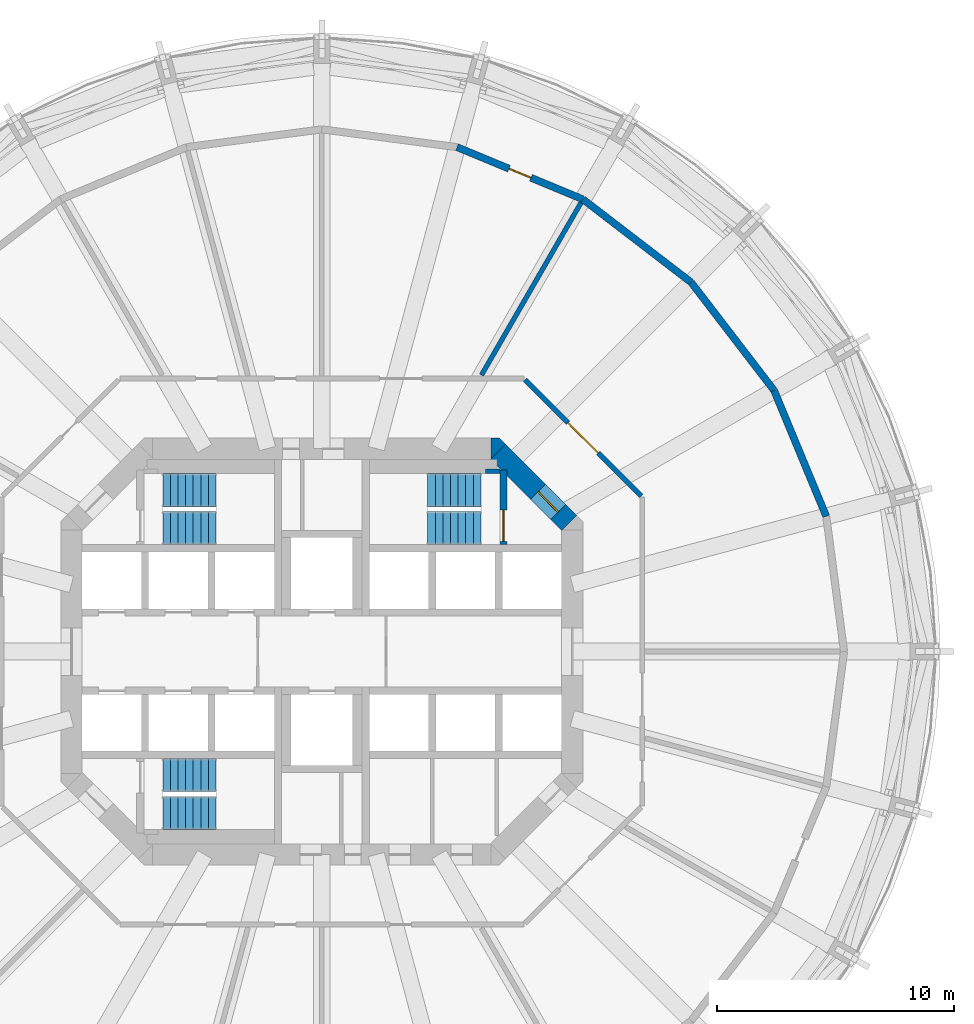
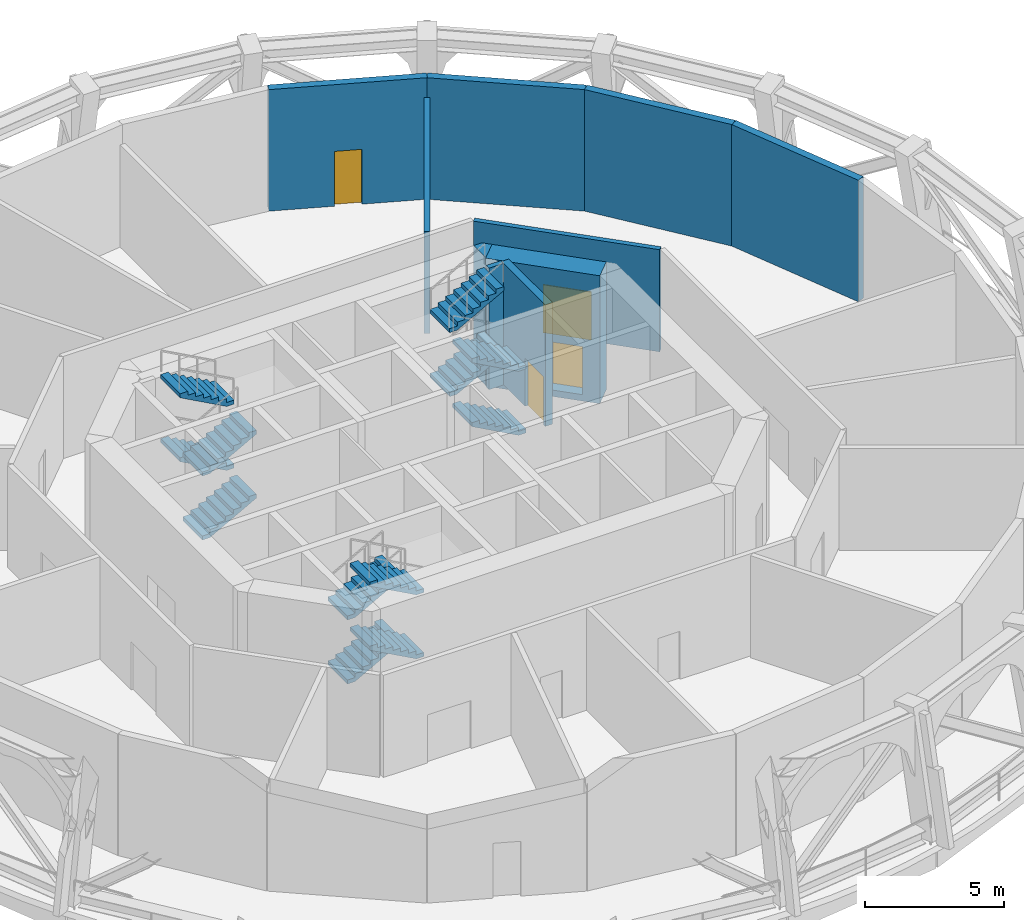
# One storey, part 6 of 9: 12 stair flights, 10 walls, 4 doors, 4 openings, 3 elements without a shape of their own.
"""IFC4 building model written with IfcOpenShell, lengths in metres."""

import ifcopenshell
import ifcopenshell.guid

model = None  # the IFC model being written
_history = None  # IfcOwnerHistory: only IFC2X3 demands one
_inside = {}  # id of a spatial element -> (the spatial element, [elements in it])
_under = {}  # id of a project, library or spatial element -> (it, [spatial elements below it])
_declared = {}  # id of a project -> (the project, [libraries it declares])
_typed = {}  # id of a type object -> (the type object, [elements of that type])
_made_of = {}  # id of a material, layer set ... -> (it, [elements and type objects made of it])


def new_model(schema):
    """Start an empty IFC model of exactly this schema.

    Asked for "IFC4X3", IfcOpenShell would pick the latest addendum, in which some entities
    have other attributes; the version numbers below select the first issue.
    IFC2X3 requires an IfcOwnerHistory on every rooted entity: one is made here for all.
    """
    global model, _history
    if schema == "IFC4X3":
        model = ifcopenshell.file(schema_version=(4, 3, 0, 0))
    else:
        model = ifcopenshell.file(schema=schema)
    _inside.clear()
    _under.clear()
    _declared.clear()
    _typed.clear()
    _made_of.clear()
    _history = None
    if model.schema == "IFC2X3":
        org = make("IfcOrganization", Name="unknown")
        user = make(
            "IfcPersonAndOrganization",
            ThePerson=make("IfcPerson", FamilyName="unknown"),
            TheOrganization=org,
        )
        app = make(
            "IfcApplication",
            ApplicationDeveloper=org,
            Version="unknown",
            ApplicationFullName="unknown",
            ApplicationIdentifier="unknown",
        )
        _history = make(
            "IfcOwnerHistory",
            OwningUser=user,
            OwningApplication=app,
            ChangeAction="ADDED",
            CreationDate=0,
        )
    return model


def make(cls, **values):
    """One entity of the class cls with the attributes given. An attribute that is None is left unset."""
    return model.create_entity(
        cls, **{name: value for name, value in values.items() if value is not None}
    )


def rooted(cls, **values):
    """An entity with a GlobalId (a new one), such as an element, a storey or a relation."""
    return make(cls, GlobalId=ifcopenshell.guid.new(), OwnerHistory=_history, **values)


def si_unit(unit_type, name, prefix=None):
    """IfcSIUnit, for example si_unit("LENGTHUNIT", "METRE", prefix="MILLI")."""
    return make("IfcSIUnit", UnitType=unit_type, Prefix=prefix, Name=name)


def assignment(units):
    """IfcUnitAssignment: the units of a project."""
    return None if units is None else make("IfcUnitAssignment", Units=units)


def point(xyz):
    """IfcCartesianPoint."""
    return None if xyz is None else make("IfcCartesianPoint", Coordinates=xyz)


def direction(xyz):
    """IfcDirection."""
    return None if xyz is None else make("IfcDirection", DirectionRatios=xyz)


def frame(location, z_axis=None, x_axis=None):
    """IfcAxis2Placement3D, a coordinate frame: its origin and axes. An axis left out is left unset."""
    return make(
        "IfcAxis2Placement3D",
        Location=point(location),
        Axis=direction(z_axis),
        RefDirection=direction(x_axis),
    )


def frame_2d(location, x_axis=None):
    """IfcAxis2Placement2D, a coordinate frame in the plane: its origin and x axis."""
    return make(
        "IfcAxis2Placement2D", Location=point(location), RefDirection=direction(x_axis)
    )


def origin():
    """The frame at (0, 0, 0) with its axes left unset."""
    return frame((0.0, 0.0, 0.0))


def place(relative_to, where):
    """IfcLocalPlacement: puts the frame where relative to a parent placement (None: the world)."""
    return make(
        "IfcLocalPlacement", PlacementRelTo=relative_to, RelativePlacement=where
    )


def context(
    kind, dimensions, precision=None, world=None, true_north=None, identifier=None
):
    """IfcGeometricRepresentationContext, for example the 3D "Model" context."""
    return make(
        "IfcGeometricRepresentationContext",
        ContextIdentifier=identifier,
        ContextType=kind,
        CoordinateSpaceDimension=dimensions,
        Precision=precision,
        WorldCoordinateSystem=world,
        TrueNorth=true_north,
    )


def subcontext(parent, identifier, kind, view, scale=None):
    """IfcGeometricRepresentationSubContext, for example "Body" below "Model"."""
    return make(
        "IfcGeometricRepresentationSubContext",
        ContextIdentifier=identifier,
        ContextType=kind,
        ParentContext=parent,
        TargetScale=scale,
        TargetView=view,
    )


def project(units=None, contexts=None):
    """IfcProject with its units and contexts."""
    return rooted(
        "IfcProject",
        Name="project",
        RepresentationContexts=contexts,
        UnitsInContext=assignment(units),
    )


def spatial(cls, under=None, at=None, **own):
    """A site, building, storey or space (cls), placed at a placement, below another one or the project."""
    s = rooted(cls, ObjectPlacement=at, **own)
    if under is not None:
        _under.setdefault(under.id(), (under, []))[1].append(s)
    return s


def polyline(points):
    """IfcPolyline through the points."""
    return make("IfcPolyline", Points=[point(p) for p in points])


def profile(cls, at=None, kind="AREA", **sizes):
    """A parametric profile (cls). Its sizes go by their IFC names, for example OverallWidth=200.0."""
    return make(cls, ProfileType=kind, Position=at, **sizes)


def rectangle(**sizes):
    """IfcRectangleProfileDef."""
    return profile("IfcRectangleProfileDef", **sizes)


def outline(outer, holes=None, kind="AREA"):
    """IfcArbitraryClosedProfileDef: a profile drawn as a closed curve; with holes, ...WithVoids."""
    if holes is None:
        return make("IfcArbitraryClosedProfileDef", ProfileType=kind, OuterCurve=outer)
    return make(
        "IfcArbitraryProfileDefWithVoids",
        ProfileType=kind,
        OuterCurve=outer,
        InnerCurves=holes,
    )


def extrude(swept, where, along, depth):
    """IfcExtrudedAreaSolid: the profile swept, set in the frame where, extruded along a direction by depth."""
    return make(
        "IfcExtrudedAreaSolid",
        SweptArea=swept,
        Position=where,
        ExtrudedDirection=direction(along),
        Depth=depth,
    )


def shape(context_of_items, identifier, shape_type, items):
    """IfcShapeRepresentation: the items that make up one representation, for example the "Body"."""
    return make(
        "IfcShapeRepresentation",
        ContextOfItems=context_of_items,
        RepresentationIdentifier=identifier,
        RepresentationType=shape_type,
        Items=items,
    )


def material(Name=None, Category=None):
    """IfcMaterial."""
    return make("IfcMaterial", Name=Name, Category=Category)


def layer(
    of_material, thickness, ventilated=None, Name=None, Category=None, Priority=None
):
    """IfcMaterialLayer: one layer of a wall or slab, of a material (None: an air gap)."""
    return make(
        "IfcMaterialLayer",
        Material=of_material,
        LayerThickness=thickness,
        IsVentilated=ventilated,
        Name=Name,
        Category=Category,
        Priority=Priority,
    )


def layer_set(layers, Name=None):
    """IfcMaterialLayerSet."""
    return make("IfcMaterialLayerSet", MaterialLayers=layers, LayerSetName=Name)


def made_of(thing, what):
    """Note that an element or type object is made of a material, layer set ...; save() writes the relation."""
    if what is not None:
        _made_of.setdefault(what.id(), (what, []))[1].append(thing)
    return thing


def type_object(cls, material=None, **own):
    """A type object (cls), such as IfcWallType, which elements share."""
    return made_of(rooted(cls, **own), material)


def element(
    cls,
    number,
    at=None,
    inside=None,
    cuts=None,
    type_object=None,
    material=None,
    context=None,
    identifier="Body",
    shape_type=None,
    held_by="IfcProductDefinitionShape",
    body=None,
    shapes=None,
    **own,
):
    """One element of the class cls, such as IfcWall. Its Tag is "e" and its number.

    at: its placement. inside: the storey or other place that contains it. cuts: it is an
    opening in that element (IfcRelVoidsElement). A single representation is given by context,
    identifier, shape_type and body (its items); several are given by shapes. held_by: the class
    of the entity that holds the representations. save() writes the other relations.
    """
    e = rooted(cls, Tag="e%d" % number, ObjectPlacement=at, **own)
    if body is not None:
        shapes = [shape(context, identifier, shape_type, body)]
    if shapes is not None:
        e.Representation = make(held_by, Representations=shapes)
    if inside is not None:
        _inside.setdefault(inside.id(), (inside, []))[1].append(e)
    if cuts is not None:
        rooted(
            "IfcRelVoidsElement", RelatingBuildingElement=cuts, RelatedOpeningElement=e
        )
    if type_object is not None:
        _typed.setdefault(type_object.id(), (type_object, []))[1].append(e)
    return made_of(e, material)


def fill(opening, filler):
    """IfcRelFillsElement: the door or window that sits in an opening."""
    return rooted(
        "IfcRelFillsElement",
        RelatingOpeningElement=opening,
        RelatedBuildingElement=filler,
    )


def aggregate(whole, parts):
    """IfcRelAggregates: a whole, such as a stair, and the parts it consists of."""
    return rooted("IfcRelAggregates", RelatingObject=whole, RelatedObjects=parts)


def save(model, path):
    """Write the relations noted so far, then the file.

    IfcRelAggregates (storeys below a building ...), IfcRelContainedInSpatialStructure (elements
    in a storey), IfcRelDefinesByType, IfcRelAssociatesMaterial and IfcRelDeclares: one each for
    every whole, place, type object, material and project.
    """
    for whole, parts in _under.values():
        aggregate(whole, parts)
    for where, things in _inside.values():
        rooted(
            "IfcRelContainedInSpatialStructure",
            RelatedElements=things,
            RelatingStructure=where,
        )
    for kind, things in _typed.values():
        rooted("IfcRelDefinesByType", RelatedObjects=things, RelatingType=kind)
    for what, things in _made_of.values():
        rooted("IfcRelAssociatesMaterial", RelatedObjects=things, RelatingMaterial=what)
    for by, libraries in _declared.values():
        rooted("IfcRelDeclares", RelatingContext=by, RelatedDefinitions=libraries)
    model.write(path)


model = new_model("IFC4")

# Units and contexts
model_context = context("Model", 3, precision=1e-05, world=origin(), true_north=direction((0.0, 1.0)))
body_context = subcontext(model_context, "Body", "Model", "MODEL_VIEW")
ifc_project = project(units=[si_unit("LENGTHUNIT", "METRE"), si_unit("AREAUNIT", "SQUARE_METRE"), si_unit("VOLUMEUNIT", "CUBIC_METRE"), si_unit("PLANEANGLEUNIT", "RADIAN"), si_unit("MASSUNIT", "GRAM", prefix="KILO")], contexts=[model_context])

# Site, building, storey
site_placement = place(None, origin())
site = spatial("IfcSite", under=ifc_project, at=site_placement, CompositionType="ELEMENT")
building_placement = place(site_placement, origin())
building = spatial("IfcBuilding", under=site, at=building_placement, Name="Torre Triforio", CompositionType="ELEMENT")
storey_placement = place(building_placement, frame((0.0, 0.0, 110.60009765625)))
storey = spatial("IfcBuildingStorey", under=building, at=storey_placement, Name="L24", CompositionType="ELEMENT", Elevation=110.60009765625)

# Wall, opening, door
ifc_material_1 = material(Name="Concrete C60", Category="concrete")
ifc_layer_1 = layer(ifc_material_1, 0.89990234375)
ifc_layer_set_1 = layer_set([ifc_layer_1], Name="Concrete C60")
wall_type_1 = type_object("IfcWallType", Name="Core wall 900 mm C60 EI 120", PredefinedType="SHEAR", material=ifc_layer_set_1)
wall_1_placement = place(storey_placement, frame((7.418212890625, 8.418212890625, -0.280029296875), z_axis=(0.0, 0.0, 1.0), x_axis=(0.707106781187, -0.707106781187, 0.0)))
wall_1 = element("IfcWall", 1, at=wall_1_placement, inside=storey, type_object=wall_type_1, Name="Core wall", PredefinedType="SHEAR", context=body_context, shape_type="SweptSolid", body=[
    extrude(rectangle(XDim=4.24267578125, YDim=0.89990234375, at=frame_2d((2.121337890625, 0.0))), origin(), (0.0, 0.0, 1.0), 5.599853515625),
])
opening_1_placement = place(wall_1_placement, frame((2.392578125, 0.0, 0.280029296875)))
opening_1 = element("IfcOpeningElement", 2, at=opening_1_placement, cuts=wall_1, Name="Opening ST2-EXIT", PredefinedType="OPENING", context=body_context, shape_type="SweptSolid", body=[
    extrude(rectangle(XDim=1.199951171875, YDim=2.10009765625, at=frame_2d((0.60009765625, 1.050048828125))), frame((0.0, 0.4599609375, 0.0), z_axis=(0.0, -1.0, 0.0), x_axis=(1.0, 0.0, 0.0)), (0.0, 0.0, 1.0), 0.919921875),
])
ifc_material_2 = material(Name="Hollow metal fire door leaf")
door_type_1 = type_object("IfcDoorType", Name="Stair lobby door 1200 x 2100 EI 60", OperationType="NOTDEFINED", PredefinedType="DOOR", material=ifc_material_2)
door_1_placement = place(opening_1_placement, origin())
door_1 = element("IfcDoor", 3, at=door_1_placement, inside=storey, type_object=door_type_1, Name="Core door ST2-EXIT", OperationType="SINGLE_SWING_RIGHT", OverallHeight=2.10009765625, OverallWidth=1.199951171875, PredefinedType="DOOR", context=body_context, shape_type="SweptSolid", body=[
    extrude(rectangle(XDim=1.199951171875, YDim=2.10009765625, at=frame_2d((0.60009765625, 1.050048828125))), frame((0.0, 0.02490234375, 0.0), z_axis=(0.0, -1.0, 0.0), x_axis=(1.0, 0.0, 0.0)), (0.0, 0.0, 1.0), 0.050048828125),
])
fill(opening_1, door_1)

# Walls
wall_2_placement = place(storey_placement, frame((0.0, 0.0, -0.280029296875)))
element("IfcWall", 4, at=wall_2_placement, inside=storey, type_object=wall_type_1, Name="Core wall", PredefinedType="SHEAR", context=body_context, shape_type="SweptSolid", body=[
    extrude(outline(polyline([(7.472900390625, 9.0), (7.736328125, 8.736328125), (7.1298828125, 8.1298828125), (7.1298828125, 9.0), (7.472900390625, 9.0)])), origin(), (0.0, 0.0, 1.0), 5.599853515625),
])
ifc_material_3 = material(Name="Aluminium louvre blades", Category="aluminium")
ifc_layer_2 = layer(ifc_material_3, 0.300048828125)
ifc_layer_set_2 = layer_set([ifc_layer_2], Name="Aluminium louvre blades")
wall_type_2 = type_object("IfcWallType", Name="Louvred enclosure wall 300", PredefinedType="STANDARD", material=ifc_layer_set_2)
for number, where, z_axis, x_axis, name in (
    (5, (21.25048828125, 5.694091796875, 0.0), (0.0, 0.0, 1.0), (-0.382715966503, 0.923866055759, 0.0), "Louvred enclosure L24 bay 02"),
    (6, (19.052490234375, 11.0, 0.0), (0.0, 0.0, 1.0), (-0.608744744291, 0.793366142647, 0.0), "Louvred enclosure L24 bay 03"),
    (7, (15.556396484375, 15.556396484375, 0.0), (0.0, 0.0, 1.0), (-0.793366142647, 0.608744744291, 0.0), "Louvred enclosure L24 bay 04"),
):
    element("IfcWall", number, at=place(storey_placement, frame(where, z_axis=z_axis, x_axis=x_axis)), inside=storey, type_object=wall_type_2, Name=name, PredefinedType="STANDARD", context=body_context, shape_type="SweptSolid", body=[
        extrude(rectangle(XDim=5.7431640625, YDim=0.300048828125, at=frame_2d((2.87158203125, 0.0))), origin(), (0.0, 0.0, 1.0), 5.31982421875),
    ])

# Wall, opening, door
wall_3_placement = place(storey_placement, frame((11.0, 19.052490234375, 0.0), z_axis=(0.0, 0.0, 1.0), x_axis=(-0.923866055759, 0.382715966503, 0.0)))
wall_3 = element("IfcWall", 8, at=wall_3_placement, inside=storey, type_object=wall_type_2, Name="Louvred enclosure L24 bay 05", PredefinedType="STANDARD", context=body_context, shape_type="SweptSolid", body=[
    extrude(rectangle(XDim=5.7431640625, YDim=0.300048828125, at=frame_2d((2.87158203125, 0.0))), origin(), (0.0, 0.0, 1.0), 5.31982421875),
])
opening_2_placement = place(wall_3_placement, frame((2.37158203125, 0.0, 0.0)))
opening_2 = element("IfcOpeningElement", 9, at=opening_2_placement, cuts=wall_3, Name="Opening PL1-D05", PredefinedType="OPENING", context=body_context, shape_type="SweptSolid", body=[
    extrude(rectangle(XDim=1.0, YDim=2.39990234375, at=frame_2d((0.5, 1.199951171875))), frame((0.0, 0.159912109375, 0.0), z_axis=(0.0, -1.0, 0.0), x_axis=(1.0, 0.0, 0.0)), (0.0, 0.0, 1.0), 0.320068359375),
])
ifc_material_4 = material(Name="Galvanised hollow metal louvred door")
door_type_2 = type_object("IfcDoorType", Name="Deck service door 1000 x 2400", OperationType="NOTDEFINED", PredefinedType="DOOR", material=ifc_material_4)
door_2_placement = place(opening_2_placement, origin())
door_2 = element("IfcDoor", 10, at=door_2_placement, inside=storey, type_object=door_type_2, Name="Deck service door L24 bay 05", OperationType="SINGLE_SWING_LEFT", OverallHeight=2.39990234375, OverallWidth=1.0, PredefinedType="DOOR", context=body_context, shape_type="SweptSolid", body=[
    extrude(rectangle(XDim=1.0, YDim=2.39990234375, at=frame_2d((0.5, 1.199951171875))), frame((0.0, 0.02490234375, 0.0), z_axis=(0.0, -1.0, 0.0), x_axis=(1.0, 0.0, 0.0)), (0.0, 0.0, 1.0), 0.050048828125),
])
fill(opening_2, door_2)

ifc_material_5 = material(Name="Masonry block", Category="masonry")
ifc_layer_3 = layer(ifc_material_5, 0.199951171875)
ifc_layer_set_3 = layer_set([ifc_layer_3], Name="Masonry block")
wall_type_3 = type_object("IfcWallType", Name="Plant room wall 200 mm block EI 120", PredefinedType="PARTITIONING", material=ifc_layer_set_3)
wall_4_placement = place(storey_placement, frame((8.557861328125, 11.450439453125, 0.0), z_axis=(0.0, 0.0, 1.0), x_axis=(0.707106781187, -0.707106781187, 0.0)))
wall_4 = element("IfcWall", 11, at=wall_4_placement, inside=storey, type_object=wall_type_3, Name="Partition 7", PredefinedType="PARTITIONING", context=body_context, shape_type="SweptSolid", body=[
    extrude(rectangle(XDim=6.919189453125, YDim=0.199951171875, at=frame_2d((3.45947265625, 0.0))), origin(), (0.0, 0.0, 1.0), 4.469970703125),
])
opening_3_placement = place(wall_4_placement, frame((2.5595703125, 0.0, 0.0)))
opening_3 = element("IfcOpeningElement", 12, at=opening_3_placement, cuts=wall_4, Name="Opening PL1-01", PredefinedType="OPENING", context=body_context, shape_type="SweptSolid", body=[
    extrude(rectangle(XDim=1.800048828125, YDim=2.10009765625, at=frame_2d((0.89990234375, 1.050048828125))), frame((0.0, 0.10986328125, 0.0), z_axis=(0.0, -1.0, 0.0), x_axis=(1.0, 0.0, 0.0)), (0.0, 0.0, 1.0), 0.219970703125),
])
door_type_3 = type_object("IfcDoorType", Name="Door 1800 x 2100 double leaf EI 60", OperationType="DOUBLE_DOOR_SINGLE_SWING", PredefinedType="DOOR", material=ifc_material_2)
door_3_placement = place(opening_3_placement, origin())
door_3 = element("IfcDoor", 13, at=door_3_placement, inside=storey, type_object=door_type_3, Name="Door PL1-01", OperationType="DOUBLE_DOOR_SINGLE_SWING", OverallHeight=2.10009765625, OverallWidth=1.800048828125, PredefinedType="DOOR", context=body_context, shape_type="SweptSolid", body=[
    extrude(rectangle(XDim=1.800048828125, YDim=2.10009765625, at=frame_2d((0.89990234375, 1.050048828125))), frame((0.0, 0.02490234375, 0.0), z_axis=(0.0, -1.0, 0.0), x_axis=(1.0, 0.0, 0.0)), (0.0, 0.0, 1.0), 0.050048828125),
])
fill(opening_3, door_3)

# Walls
wall_5_placement = place(storey_placement, frame((6.725830078125, 11.6494140625, 0.0), z_axis=(0.0, 0.0, 1.0), x_axis=(0.500006411147, 0.866021702275, 0.0)))
element("IfcWall", 14, at=wall_5_placement, inside=storey, type_object=wall_type_3, Name="Partition 10", PredefinedType="PARTITIONING", context=body_context, shape_type="SweptSolid", body=[
    extrude(rectangle(XDim=8.38525390625, YDim=0.199951171875, at=frame_2d((4.192626953125, 0.0))), origin(), (0.0, 0.0, 1.0), 4.469970703125),
])
ifc_layer_4 = layer(ifc_material_1, 0.199951171875)
ifc_layer_set_4 = layer_set([ifc_layer_4], Name="Concrete C60")
wall_type_4 = type_object("IfcWallType", Name="Stair wall 200 mm C60 EI 120", PredefinedType="SHEAR", material=ifc_layer_set_4)
wall_6_placement = place(storey_placement, frame((6.89990234375, 7.60009765625, 0.0), z_axis=(0.0, 0.0, 1.0), x_axis=(1.0, 0.0, 0.0)))
element("IfcWall", 15, at=wall_6_placement, inside=storey, type_object=wall_type_4, Name="Stair wall", PredefinedType="SHEAR", context=body_context, shape_type="SweptSolid", body=[
    extrude(rectangle(XDim=0.60009765625, YDim=0.199951171875, at=frame_2d((0.300048828125, 0.0))), origin(), (0.0, 0.0, 1.0), 5.31982421875),
])

# Wall, opening, door
ifc_layer_5 = layer(ifc_material_1, 0.300048828125)
ifc_layer_set_5 = layer_set([ifc_layer_5], Name="Concrete C60")
wall_type_5 = type_object("IfcWallType", Name="Stair wall 300 mm C60 EI 120", PredefinedType="SHEAR", material=ifc_layer_set_5)
wall_7_placement = place(storey_placement, frame((7.64990234375, 4.5, 0.0), z_axis=(0.0, 0.0, 1.0), x_axis=(0.0, 1.0, 0.0)))
wall_7 = element("IfcWall", 16, at=wall_7_placement, inside=storey, type_object=wall_type_5, Name="Stair wall", PredefinedType="SHEAR", context=body_context, shape_type="SweptSolid", body=[
    extrude(rectangle(XDim=3.139892578125, YDim=0.300048828125, at=frame_2d((1.56982421875, 0.0))), origin(), (0.0, 0.0, 1.0), 5.31982421875),
])
opening_4_placement = place(wall_7_placement, frame((0.139892578125, 0.0, 0.0)))
opening_4 = element("IfcOpeningElement", 17, at=opening_4_placement, cuts=wall_7, Name="Opening ST2-STA", PredefinedType="OPENING", context=body_context, shape_type="SweptSolid", body=[
    extrude(rectangle(XDim=1.320068359375, YDim=2.10009765625, at=frame_2d((0.66015625, 1.050048828125))), frame((0.0, 0.159912109375, 0.0), z_axis=(0.0, -1.0, 0.0), x_axis=(1.0, 0.0, 0.0)), (0.0, 0.0, 1.0), 0.320068359375),
])
door_type_4 = type_object("IfcDoorType", Name="Stair door 1320 x 2100 EI 90", OperationType="DOUBLE_DOOR_SINGLE_SWING", PredefinedType="DOOR", material=ifc_material_2)
door_4_placement = place(opening_4_placement, origin())
door_4 = element("IfcDoor", 18, at=door_4_placement, inside=storey, type_object=door_type_4, Name="Core door ST2-ST", OperationType="DOUBLE_DOOR_SINGLE_SWING", OverallHeight=2.10009765625, OverallWidth=1.320068359375, PredefinedType="DOOR", context=body_context, shape_type="SweptSolid", body=[
    extrude(rectangle(XDim=1.320068359375, YDim=2.10009765625, at=frame_2d((0.66015625, 1.050048828125))), frame((0.0, 0.02490234375, 0.0), z_axis=(0.0, -1.0, 0.0), x_axis=(1.0, 0.0, 0.0)), (0.0, 0.0, 1.0), 0.050048828125),
])
fill(opening_4, door_4)

# Stair, stair flights
ifc_material_6 = material(Name="Concrete C40", Category="concrete")
stair_type = type_object("IfcStairType", Name="STAIR DOUBLE RETURN 320 GOING", PredefinedType="DOUBLE_RETURN_STAIR", material=ifc_material_6)
stair_1_placement = place(storey_placement, origin())
stair_1 = element("IfcStair", 19, at=stair_1_placement, inside=storey, type_object=stair_type, Name="Exit stair 1", PredefinedType="DOUBLE_RETURN_STAIR")
stair_flight_type = type_object("IfcStairFlightType", Name="STAIR FLIGHT 1400", PredefinedType="STRAIGHT", material=ifc_material_6)
stair_flight_1_placement = place(storey_placement, frame((-6.699951171875, 5.199951171875, 0.0), z_axis=(0.0, 0.0, 1.0), x_axis=(1.0, 0.0, 0.0)))
stair_flight_1 = element("IfcStairFlight", 20, at=stair_flight_1_placement, type_object=stair_flight_type, Name="ST1 flight 1", NumberOfRisers=8, NumberOfTreads=7, PredefinedType="STRAIGHT", RiserHeight=0.175, TreadLength=0.32, context=body_context, shape_type="SweptSolid", body=[
    extrude(outline(polyline([(0.0, 0.0), (0.0, 0.175048828125), (0.320068359375, 0.175048828125), (0.320068359375, 0.35009765625), (0.639892578125, 0.35009765625), (0.639892578125, 0.52490234375), (0.9599609375, 0.52490234375), (0.9599609375, 0.699951171875), (1.280029296875, 0.699951171875), (1.280029296875, 0.875), (1.60009765625, 0.875), (1.60009765625, 1.050048828125), (1.919921875, 1.050048828125), (1.919921875, 1.22509765625), (2.239990234375, 1.22509765625), (2.239990234375, 1.39990234375), (2.239990234375, 1.05419921875), (0.3125, 0.0), (0.0, 0.0)])), frame((0.0, 0.699951171875, 0.0), z_axis=(0.0, -1.0, 0.0), x_axis=(1.0, 0.0, 0.0)), (0.0, 0.0, 1.0), 1.39990234375),
])
stair_flight_2_placement = place(storey_placement, frame((-4.4599609375, 6.800048828125, 1.39990234375), z_axis=(0.0, 0.0, 1.0), x_axis=(-1.0, 0.0, 0.0)))
stair_flight_2 = element("IfcStairFlight", 21, at=stair_flight_2_placement, type_object=stair_flight_type, Name="ST1 flight 2", NumberOfRisers=8, NumberOfTreads=7, PredefinedType="STRAIGHT", RiserHeight=0.175, TreadLength=0.32, context=body_context, shape_type="SweptSolid", body=[
    extrude(outline(polyline([(0.0, 0.0), (0.0, 0.175048828125), (0.320068359375, 0.175048828125), (0.320068359375, 0.35009765625), (0.639892578125, 0.35009765625), (0.639892578125, 0.52490234375), (0.9599609375, 0.52490234375), (0.9599609375, 0.699951171875), (1.280029296875, 0.699951171875), (1.280029296875, 0.875), (1.60009765625, 0.875), (1.60009765625, 1.050048828125), (1.919921875, 1.050048828125), (1.919921875, 1.22509765625), (2.239990234375, 1.22509765625), (2.239990234375, 1.39990234375), (2.239990234375, 1.05419921875), (0.3125, 0.0), (0.0, 0.0)])), frame((0.0, 0.699951171875, 0.0), z_axis=(0.0, -1.0, 0.0), x_axis=(1.0, 0.0, 0.0)), (0.0, 0.0, 1.0), 1.39990234375),
])
stair_flight_3_placement = place(storey_placement, frame((-6.699951171875, 5.199951171875, 2.7998046875), z_axis=(0.0, 0.0, 1.0), x_axis=(1.0, 0.0, 0.0)))
stair_flight_3 = element("IfcStairFlight", 22, at=stair_flight_3_placement, type_object=stair_flight_type, Name="ST1 flight 3", NumberOfRisers=8, NumberOfTreads=7, PredefinedType="STRAIGHT", RiserHeight=0.175, TreadLength=0.32, context=body_context, shape_type="SweptSolid", body=[
    extrude(outline(polyline([(0.0, 0.0), (0.0, 0.175048828125), (0.320068359375, 0.175048828125), (0.320068359375, 0.35009765625), (0.639892578125, 0.35009765625), (0.639892578125, 0.52490234375), (0.9599609375, 0.52490234375), (0.9599609375, 0.699951171875), (1.280029296875, 0.699951171875), (1.280029296875, 0.875), (1.60009765625, 0.875), (1.60009765625, 1.050048828125), (1.919921875, 1.050048828125), (1.919921875, 1.22509765625), (2.239990234375, 1.22509765625), (2.239990234375, 1.39990234375), (2.239990234375, 1.05419921875), (0.3125, 0.0), (0.0, 0.0)])), frame((0.0, 0.699951171875, 0.0), z_axis=(0.0, -1.0, 0.0), x_axis=(1.0, 0.0, 0.0)), (0.0, 0.0, 1.0), 1.39990234375),
])
stair_flight_4_placement = place(storey_placement, frame((-4.4599609375, 6.800048828125, 4.199951171875), z_axis=(0.0, 0.0, 1.0), x_axis=(-1.0, 0.0, 0.0)))
stair_flight_4 = element("IfcStairFlight", 23, at=stair_flight_4_placement, type_object=stair_flight_type, Name="ST1 flight 4", NumberOfRisers=8, NumberOfTreads=7, PredefinedType="STRAIGHT", RiserHeight=0.175, TreadLength=0.32, context=body_context, shape_type="SweptSolid", body=[
    extrude(outline(polyline([(0.0, 0.0), (0.0, 0.175048828125), (0.320068359375, 0.175048828125), (0.320068359375, 0.35009765625), (0.639892578125, 0.35009765625), (0.639892578125, 0.52490234375), (0.9599609375, 0.52490234375), (0.9599609375, 0.699951171875), (1.280029296875, 0.699951171875), (1.280029296875, 0.875), (1.60009765625, 0.875), (1.60009765625, 1.050048828125), (1.919921875, 1.050048828125), (1.919921875, 1.22509765625), (2.239990234375, 1.22509765625), (2.239990234375, 1.39990234375), (2.239990234375, 1.05419921875), (0.3125, 0.0), (0.0, 0.0)])), frame((0.0, 0.699951171875, 0.0), z_axis=(0.0, -1.0, 0.0), x_axis=(1.0, 0.0, 0.0)), (0.0, 0.0, 1.0), 1.39990234375),
])
aggregate(stair_1, [stair_flight_1, stair_flight_2, stair_flight_3, stair_flight_4])

stair_2_placement = place(storey_placement, origin())
stair_2 = element("IfcStair", 24, at=stair_2_placement, inside=storey, type_object=stair_type, Name="Exit stair 2", PredefinedType="DOUBLE_RETURN_STAIR")
stair_flight_5_placement = place(storey_placement, frame((6.699951171875, 5.199951171875, 0.0), z_axis=(0.0, 0.0, 1.0), x_axis=(-1.0, 0.0, 0.0)))
stair_flight_5 = element("IfcStairFlight", 25, at=stair_flight_5_placement, type_object=stair_flight_type, Name="ST2 flight 1", NumberOfRisers=8, NumberOfTreads=7, PredefinedType="STRAIGHT", RiserHeight=0.175, TreadLength=0.32, context=body_context, shape_type="SweptSolid", body=[
    extrude(outline(polyline([(0.0, 0.0), (0.0, 0.175048828125), (0.320068359375, 0.175048828125), (0.320068359375, 0.35009765625), (0.639892578125, 0.35009765625), (0.639892578125, 0.52490234375), (0.9599609375, 0.52490234375), (0.9599609375, 0.699951171875), (1.280029296875, 0.699951171875), (1.280029296875, 0.875), (1.60009765625, 0.875), (1.60009765625, 1.050048828125), (1.919921875, 1.050048828125), (1.919921875, 1.22509765625), (2.239990234375, 1.22509765625), (2.239990234375, 1.39990234375), (2.239990234375, 1.05419921875), (0.3125, 0.0), (0.0, 0.0)])), frame((0.0, 0.699951171875, 0.0), z_axis=(0.0, -1.0, 0.0), x_axis=(1.0, 0.0, 0.0)), (0.0, 0.0, 1.0), 1.39990234375),
])
stair_flight_6_placement = place(storey_placement, frame((4.4599609375, 6.800048828125, 1.39990234375), z_axis=(0.0, 0.0, 1.0), x_axis=(1.0, 0.0, 0.0)))
stair_flight_6 = element("IfcStairFlight", 26, at=stair_flight_6_placement, type_object=stair_flight_type, Name="ST2 flight 2", NumberOfRisers=8, NumberOfTreads=7, PredefinedType="STRAIGHT", RiserHeight=0.175, TreadLength=0.32, context=body_context, shape_type="SweptSolid", body=[
    extrude(outline(polyline([(0.0, 0.0), (0.0, 0.175048828125), (0.320068359375, 0.175048828125), (0.320068359375, 0.35009765625), (0.639892578125, 0.35009765625), (0.639892578125, 0.52490234375), (0.9599609375, 0.52490234375), (0.9599609375, 0.699951171875), (1.280029296875, 0.699951171875), (1.280029296875, 0.875), (1.60009765625, 0.875), (1.60009765625, 1.050048828125), (1.919921875, 1.050048828125), (1.919921875, 1.22509765625), (2.239990234375, 1.22509765625), (2.239990234375, 1.39990234375), (2.239990234375, 1.05419921875), (0.3125, 0.0), (0.0, 0.0)])), frame((0.0, 0.699951171875, 0.0), z_axis=(0.0, -1.0, 0.0), x_axis=(1.0, 0.0, 0.0)), (0.0, 0.0, 1.0), 1.39990234375),
])
stair_flight_7_placement = place(storey_placement, frame((6.699951171875, 5.199951171875, 2.7998046875), z_axis=(0.0, 0.0, 1.0), x_axis=(-1.0, 0.0, 0.0)))
stair_flight_7 = element("IfcStairFlight", 27, at=stair_flight_7_placement, type_object=stair_flight_type, Name="ST2 flight 3", NumberOfRisers=8, NumberOfTreads=7, PredefinedType="STRAIGHT", RiserHeight=0.175, TreadLength=0.32, context=body_context, shape_type="SweptSolid", body=[
    extrude(outline(polyline([(0.0, 0.0), (0.0, 0.175048828125), (0.320068359375, 0.175048828125), (0.320068359375, 0.35009765625), (0.639892578125, 0.35009765625), (0.639892578125, 0.52490234375), (0.9599609375, 0.52490234375), (0.9599609375, 0.699951171875), (1.280029296875, 0.699951171875), (1.280029296875, 0.875), (1.60009765625, 0.875), (1.60009765625, 1.050048828125), (1.919921875, 1.050048828125), (1.919921875, 1.22509765625), (2.239990234375, 1.22509765625), (2.239990234375, 1.39990234375), (2.239990234375, 1.05419921875), (0.3125, 0.0), (0.0, 0.0)])), frame((0.0, 0.699951171875, 0.0), z_axis=(0.0, -1.0, 0.0), x_axis=(1.0, 0.0, 0.0)), (0.0, 0.0, 1.0), 1.39990234375),
])
stair_flight_8_placement = place(storey_placement, frame((4.4599609375, 6.800048828125, 4.199951171875), z_axis=(0.0, 0.0, 1.0), x_axis=(1.0, 0.0, 0.0)))
stair_flight_8 = element("IfcStairFlight", 28, at=stair_flight_8_placement, type_object=stair_flight_type, Name="ST2 flight 4", NumberOfRisers=8, NumberOfTreads=7, PredefinedType="STRAIGHT", RiserHeight=0.175, TreadLength=0.32, context=body_context, shape_type="SweptSolid", body=[
    extrude(outline(polyline([(0.0, 0.0), (0.0, 0.175048828125), (0.320068359375, 0.175048828125), (0.320068359375, 0.35009765625), (0.639892578125, 0.35009765625), (0.639892578125, 0.52490234375), (0.9599609375, 0.52490234375), (0.9599609375, 0.699951171875), (1.280029296875, 0.699951171875), (1.280029296875, 0.875), (1.60009765625, 0.875), (1.60009765625, 1.050048828125), (1.919921875, 1.050048828125), (1.919921875, 1.22509765625), (2.239990234375, 1.22509765625), (2.239990234375, 1.39990234375), (2.239990234375, 1.05419921875), (0.3125, 0.0), (0.0, 0.0)])), frame((0.0, 0.699951171875, 0.0), z_axis=(0.0, -1.0, 0.0), x_axis=(1.0, 0.0, 0.0)), (0.0, 0.0, 1.0), 1.39990234375),
])
aggregate(stair_2, [stair_flight_5, stair_flight_6, stair_flight_7, stair_flight_8])

stair_3_placement = place(storey_placement, origin())
stair_3 = element("IfcStair", 29, at=stair_3_placement, inside=storey, type_object=stair_type, Name="Exit stair 3", PredefinedType="DOUBLE_RETURN_STAIR")
stair_flight_9_placement = place(storey_placement, frame((-6.699951171875, -5.199951171875, 0.0), z_axis=(0.0, 0.0, 1.0), x_axis=(1.0, 0.0, 0.0)))
stair_flight_9 = element("IfcStairFlight", 30, at=stair_flight_9_placement, type_object=stair_flight_type, Name="ST3 flight 1", NumberOfRisers=8, NumberOfTreads=7, PredefinedType="STRAIGHT", RiserHeight=0.175, TreadLength=0.32, context=body_context, shape_type="SweptSolid", body=[
    extrude(outline(polyline([(0.0, 0.0), (0.0, 0.175048828125), (0.320068359375, 0.175048828125), (0.320068359375, 0.35009765625), (0.639892578125, 0.35009765625), (0.639892578125, 0.52490234375), (0.9599609375, 0.52490234375), (0.9599609375, 0.699951171875), (1.280029296875, 0.699951171875), (1.280029296875, 0.875), (1.60009765625, 0.875), (1.60009765625, 1.050048828125), (1.919921875, 1.050048828125), (1.919921875, 1.22509765625), (2.239990234375, 1.22509765625), (2.239990234375, 1.39990234375), (2.239990234375, 1.05419921875), (0.3125, 0.0), (0.0, 0.0)])), frame((0.0, 0.699951171875, 0.0), z_axis=(0.0, -1.0, 0.0), x_axis=(1.0, 0.0, 0.0)), (0.0, 0.0, 1.0), 1.39990234375),
])
stair_flight_10_placement = place(storey_placement, frame((-4.4599609375, -6.800048828125, 1.39990234375), z_axis=(0.0, 0.0, 1.0), x_axis=(-1.0, 0.0, 0.0)))
stair_flight_10 = element("IfcStairFlight", 31, at=stair_flight_10_placement, type_object=stair_flight_type, Name="ST3 flight 2", NumberOfRisers=8, NumberOfTreads=7, PredefinedType="STRAIGHT", RiserHeight=0.175, TreadLength=0.32, context=body_context, shape_type="SweptSolid", body=[
    extrude(outline(polyline([(0.0, 0.0), (0.0, 0.175048828125), (0.320068359375, 0.175048828125), (0.320068359375, 0.35009765625), (0.639892578125, 0.35009765625), (0.639892578125, 0.52490234375), (0.9599609375, 0.52490234375), (0.9599609375, 0.699951171875), (1.280029296875, 0.699951171875), (1.280029296875, 0.875), (1.60009765625, 0.875), (1.60009765625, 1.050048828125), (1.919921875, 1.050048828125), (1.919921875, 1.22509765625), (2.239990234375, 1.22509765625), (2.239990234375, 1.39990234375), (2.239990234375, 1.05419921875), (0.3125, 0.0), (0.0, 0.0)])), frame((0.0, 0.699951171875, 0.0), z_axis=(0.0, -1.0, 0.0), x_axis=(1.0, 0.0, 0.0)), (0.0, 0.0, 1.0), 1.39990234375),
])
stair_flight_11_placement = place(storey_placement, frame((-6.699951171875, -5.199951171875, 2.7998046875), z_axis=(0.0, 0.0, 1.0), x_axis=(1.0, 0.0, 0.0)))
stair_flight_11 = element("IfcStairFlight", 32, at=stair_flight_11_placement, type_object=stair_flight_type, Name="ST3 flight 3", NumberOfRisers=8, NumberOfTreads=7, PredefinedType="STRAIGHT", RiserHeight=0.175, TreadLength=0.32, context=body_context, shape_type="SweptSolid", body=[
    extrude(outline(polyline([(0.0, 0.0), (0.0, 0.175048828125), (0.320068359375, 0.175048828125), (0.320068359375, 0.35009765625), (0.639892578125, 0.35009765625), (0.639892578125, 0.52490234375), (0.9599609375, 0.52490234375), (0.9599609375, 0.699951171875), (1.280029296875, 0.699951171875), (1.280029296875, 0.875), (1.60009765625, 0.875), (1.60009765625, 1.050048828125), (1.919921875, 1.050048828125), (1.919921875, 1.22509765625), (2.239990234375, 1.22509765625), (2.239990234375, 1.39990234375), (2.239990234375, 1.05419921875), (0.3125, 0.0), (0.0, 0.0)])), frame((0.0, 0.699951171875, 0.0), z_axis=(0.0, -1.0, 0.0), x_axis=(1.0, 0.0, 0.0)), (0.0, 0.0, 1.0), 1.39990234375),
])
stair_flight_12_placement = place(storey_placement, frame((-4.4599609375, -6.800048828125, 4.199951171875), z_axis=(0.0, 0.0, 1.0), x_axis=(-1.0, 0.0, 0.0)))
stair_flight_12 = element("IfcStairFlight", 33, at=stair_flight_12_placement, type_object=stair_flight_type, Name="ST3 flight 4", NumberOfRisers=8, NumberOfTreads=7, PredefinedType="STRAIGHT", RiserHeight=0.175, TreadLength=0.32, context=body_context, shape_type="SweptSolid", body=[
    extrude(outline(polyline([(0.0, 0.0), (0.0, 0.175048828125), (0.320068359375, 0.175048828125), (0.320068359375, 0.35009765625), (0.639892578125, 0.35009765625), (0.639892578125, 0.52490234375), (0.9599609375, 0.52490234375), (0.9599609375, 0.699951171875), (1.280029296875, 0.699951171875), (1.280029296875, 0.875), (1.60009765625, 0.875), (1.60009765625, 1.050048828125), (1.919921875, 1.050048828125), (1.919921875, 1.22509765625), (2.239990234375, 1.22509765625), (2.239990234375, 1.39990234375), (2.239990234375, 1.05419921875), (0.3125, 0.0), (0.0, 0.0)])), frame((0.0, 0.699951171875, 0.0), z_axis=(0.0, -1.0, 0.0), x_axis=(1.0, 0.0, 0.0)), (0.0, 0.0, 1.0), 1.39990234375),
])
aggregate(stair_3, [stair_flight_9, stair_flight_10, stair_flight_11, stair_flight_12])

save(model, "model.ifc")
